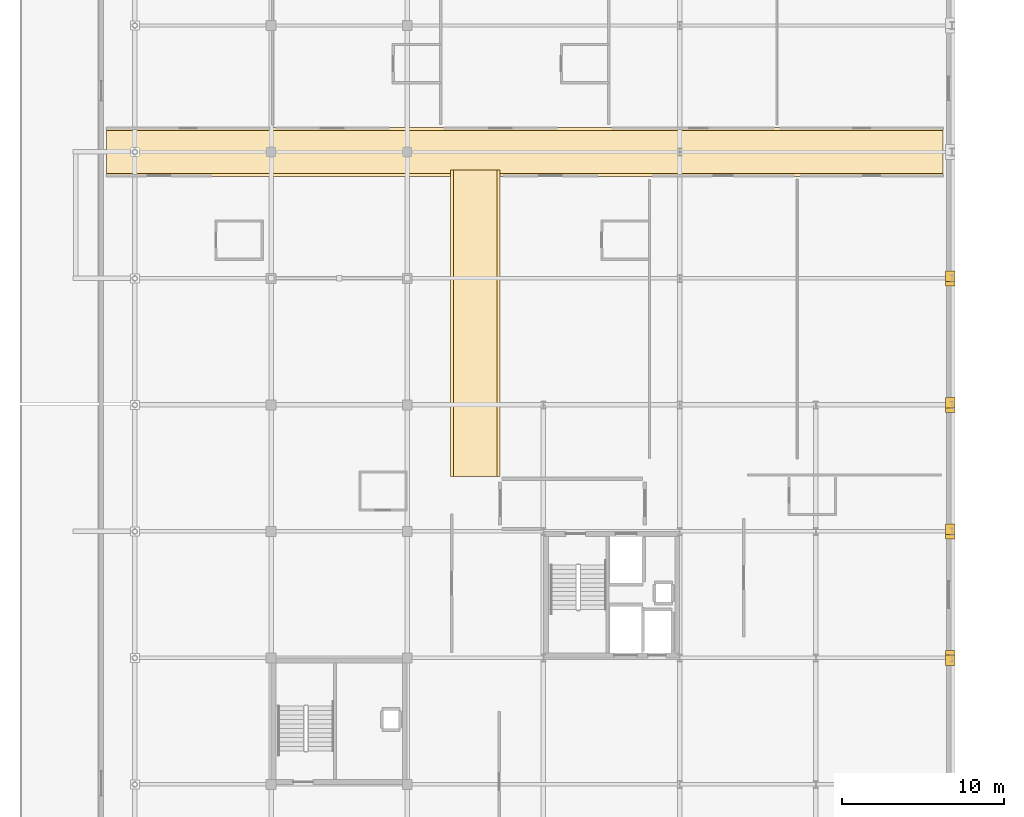
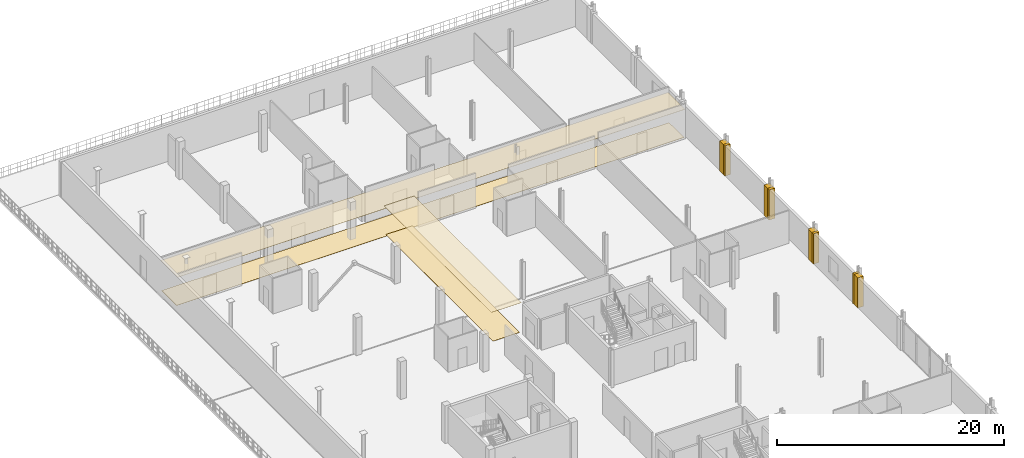
# One storey, part 24 of 25: 12 coverings.
"""IFC4 building model written with IfcOpenShell, lengths in metres."""

from ifc_helpers import new_model, si_unit, direction, frame, origin, place, context, subcontext, project, spatial, polyline, outline, extrude, material, layer, layer_set, type_object, element, save


model = new_model("IFC4")

# Units and contexts
model_context = context("Model", 3, precision=1e-05, world=origin(), true_north=direction((0.0, 1.0)))
body_context = subcontext(model_context, "Body", "Model", "MODEL_VIEW")
ifc_project = project(units=[si_unit("LENGTHUNIT", "METRE"), si_unit("AREAUNIT", "SQUARE_METRE"), si_unit("VOLUMEUNIT", "CUBIC_METRE"), si_unit("PLANEANGLEUNIT", "RADIAN"), si_unit("MASSUNIT", "GRAM", prefix="KILO")], contexts=[model_context])

# Site, building, storey
site_placement = place(None, origin())
site = spatial("IfcSite", under=ifc_project, at=site_placement, CompositionType="ELEMENT")
building_placement = place(site_placement, origin())
building = spatial("IfcBuilding", under=site, at=building_placement, Name="Nabrawat Pavilion Hospital", CompositionType="ELEMENT")
storey_placement = place(building_placement, frame((0.0, 0.0, 22.949951171875)))
storey = spatial("IfcBuildingStorey", under=building, at=storey_placement, Name="L05", CompositionType="ELEMENT", Elevation=22.949951171875)

# Coverings
ifc_material_1 = material(Name="Precast concrete C40/50", Category="concrete")
ifc_layer_1 = layer(ifc_material_1, 0.360107421875, Name="Precast concrete C40/50")
ifc_layer_set_1 = layer_set([ifc_layer_1], Name="Precast concrete C40/50")
covering_type_1 = type_object("IfcCoveringType", Name="Architectural Precast Column-Jamb Closure Reveal", PredefinedType="CLADDING", material=ifc_layer_set_1)
covering_1_placement = place(storey_placement, origin())
element("IfcCovering", 1, at=covering_1_placement, inside=storey, type_object=covering_type_1, Name="L05 Precast Facade Column-Jamb Weatherseal Closure 0599", PredefinedType="CLADDING", context=body_context, shape_type="SweptSolid", body=[
    extrude(outline(polyline([(193.3798828125, 69.7451171875), (193.3798828125, 70.3798828125), (192.800048828125, 70.3798828125), (192.800048828125, 69.7451171875), (193.3798828125, 69.7451171875)])), origin(), (0.0, 0.0, 1.0), 3.25),
])
covering_2_placement = place(storey_placement, origin())
element("IfcCovering", 2, at=covering_2_placement, inside=storey, type_object=covering_type_1, Name="L05 Precast Facade Column-Jamb Weatherseal Closure 0600", PredefinedType="CLADDING", context=body_context, shape_type="SweptSolid", body=[
    extrude(outline(polyline([(193.3798828125, 70.02001953125), (193.3798828125, 70.655029296875), (192.800048828125, 70.655029296875), (192.800048828125, 70.02001953125), (193.3798828125, 70.02001953125)])), origin(), (0.0, 0.0, 1.0), 3.25),
])
covering_3_placement = place(storey_placement, origin())
element("IfcCovering", 3, at=covering_3_placement, inside=storey, type_object=covering_type_1, Name="L05 Precast Facade Column-Jamb Weatherseal Closure 0601", PredefinedType="CLADDING", context=body_context, shape_type="SweptSolid", body=[
    extrude(outline(polyline([(193.3798828125, 77.544921875), (193.3798828125, 78.179931640625), (192.800048828125, 78.179931640625), (192.800048828125, 77.544921875), (193.3798828125, 77.544921875)])), origin(), (0.0, 0.0, 1.0), 3.25),
])
covering_4_placement = place(storey_placement, origin())
element("IfcCovering", 4, at=covering_4_placement, inside=storey, type_object=covering_type_1, Name="L05 Precast Facade Column-Jamb Weatherseal Closure 0602", PredefinedType="CLADDING", context=body_context, shape_type="SweptSolid", body=[
    extrude(outline(polyline([(193.3798828125, 77.820068359375), (193.3798828125, 78.455078125), (192.800048828125, 78.455078125), (192.800048828125, 77.820068359375), (193.3798828125, 77.820068359375)])), origin(), (0.0, 0.0, 1.0), 3.25),
])
covering_5_placement = place(storey_placement, origin())
element("IfcCovering", 5, at=covering_5_placement, inside=storey, type_object=covering_type_1, Name="L05 Precast Facade Column-Jamb Weatherseal Closure 0603", PredefinedType="CLADDING", context=body_context, shape_type="SweptSolid", body=[
    extrude(outline(polyline([(193.3798828125, 85.344970703125), (193.3798828125, 85.97998046875), (192.800048828125, 85.97998046875), (192.800048828125, 85.344970703125), (193.3798828125, 85.344970703125)])), origin(), (0.0, 0.0, 1.0), 3.25),
])
covering_6_placement = place(storey_placement, origin())
element("IfcCovering", 6, at=covering_6_placement, inside=storey, type_object=covering_type_1, Name="L05 Precast Facade Column-Jamb Weatherseal Closure 0604", PredefinedType="CLADDING", context=body_context, shape_type="SweptSolid", body=[
    extrude(outline(polyline([(193.3798828125, 85.6201171875), (193.3798828125, 86.2548828125), (192.800048828125, 86.2548828125), (192.800048828125, 85.6201171875), (193.3798828125, 85.6201171875)])), origin(), (0.0, 0.0, 1.0), 3.25),
])
covering_7_placement = place(storey_placement, origin())
element("IfcCovering", 7, at=covering_7_placement, inside=storey, type_object=covering_type_1, Name="L05 Precast Facade Column-Jamb Weatherseal Closure 0605", PredefinedType="CLADDING", context=body_context, shape_type="SweptSolid", body=[
    extrude(outline(polyline([(193.3798828125, 93.14501953125), (193.3798828125, 93.780029296875), (192.800048828125, 93.780029296875), (192.800048828125, 93.14501953125), (193.3798828125, 93.14501953125)])), origin(), (0.0, 0.0, 1.0), 3.25),
])
covering_8_placement = place(storey_placement, origin())
element("IfcCovering", 8, at=covering_8_placement, inside=storey, type_object=covering_type_1, Name="L05 Precast Facade Column-Jamb Weatherseal Closure 0606", PredefinedType="CLADDING", context=body_context, shape_type="SweptSolid", body=[
    extrude(outline(polyline([(193.3798828125, 93.419921875), (193.3798828125, 94.054931640625), (192.800048828125, 94.054931640625), (192.800048828125, 93.419921875), (193.3798828125, 93.419921875)])), origin(), (0.0, 0.0, 1.0), 3.25),
])
ifc_material_2 = material(Name="Mineral-Fibre Hygienic Acoustic Board", Category="gypsum")
ifc_layer_2 = layer(ifc_material_2, 0.02490234375, Name="Mineral-Fibre Hygienic Acoustic Board")
ifc_layer_set_2 = layer_set([ifc_layer_2], Name="Mineral-Fibre Hygienic Acoustic Board")
covering_type_2 = type_object("IfcCoveringType", Name="Hygienic Anti-Bacterial Acoustic Tile Ceiling", PredefinedType="CEILING", material=ifc_layer_set_2)
covering_9_placement = place(storey_placement, frame((0.0, 0.0, 3.130126953125)))
element("IfcCovering", 9, at=covering_9_placement, inside=storey, type_object=covering_type_2, Name="L05 Clinical Corridor Acoustic Ceiling 11", PredefinedType="CEILING", context=body_context, shape_type="SweptSolid", body=[
    extrude(outline(polyline([(165.330078125, 81.39990234375), (165.330078125, 100.300048828125), (162.27001953125, 100.300048828125), (162.27001953125, 81.39990234375), (165.330078125, 81.39990234375)])), origin(), (0.0, 0.0, 1.0), 0.02490234375),
])
covering_10_placement = place(storey_placement, frame((0.0, 0.0, 3.130126953125)))
element("IfcCovering", 10, at=covering_10_placement, inside=storey, type_object=covering_type_2, Name="L05 Clinical Corridor Acoustic Ceiling 12", PredefinedType="CEILING", context=body_context, shape_type="SweptSolid", body=[
    extrude(outline(polyline([(192.64990234375, 99.89501953125), (192.64990234375, 102.905029296875), (141.050048828125, 102.905029296875), (141.050048828125, 99.89501953125), (192.64990234375, 99.89501953125)])), origin(), (0.0, 0.0, 1.0), 0.02490234375),
])
ifc_material_3 = material(Name="Homogeneous Medical PVC Vinyl", Category="plastic")
ifc_layer_3 = layer(ifc_material_3, 0.014892578125, Name="Homogeneous Medical PVC Vinyl")
ifc_layer_set_3 = layer_set([ifc_layer_3], Name="Homogeneous Medical PVC Vinyl")
covering_type_3 = type_object("IfcCoveringType", Name="Seamless Anti-Static Medical Vinyl Flooring", PredefinedType="FLOORING", material=ifc_layer_set_3)
covering_11_placement = place(storey_placement, origin())
element("IfcCovering", 11, at=covering_11_placement, inside=storey, type_object=covering_type_3, Name="L05 Clinical Corridor Medical Vinyl Flooring 11", PredefinedType="FLOORING", context=body_context, shape_type="SweptSolid", body=[
    extrude(outline(polyline([(165.14990234375, 81.39990234375), (165.14990234375, 100.300048828125), (162.449951171875, 100.300048828125), (162.449951171875, 81.39990234375), (165.14990234375, 81.39990234375)])), origin(), (0.0, 0.0, 1.0), 0.01513671875),
])
covering_12_placement = place(storey_placement, origin())
element("IfcCovering", 12, at=covering_12_placement, inside=storey, type_object=covering_type_3, Name="L05 Clinical Corridor Medical Vinyl Flooring 12", PredefinedType="FLOORING", context=body_context, shape_type="SweptSolid", body=[
    extrude(outline(polyline([(192.64990234375, 100.074951171875), (192.64990234375, 102.72509765625), (141.050048828125, 102.72509765625), (141.050048828125, 100.074951171875), (192.64990234375, 100.074951171875)])), origin(), (0.0, 0.0, 1.0), 0.01513671875),
])

save(model, "model.ifc")
